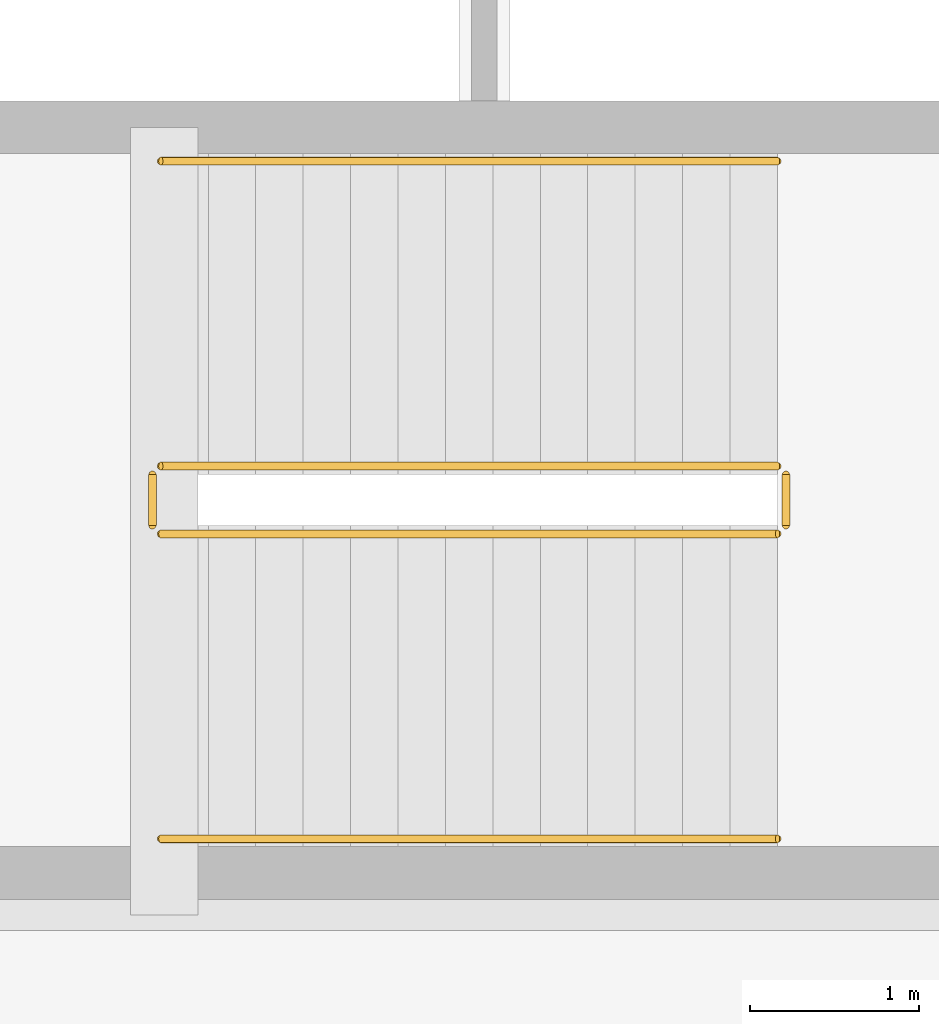
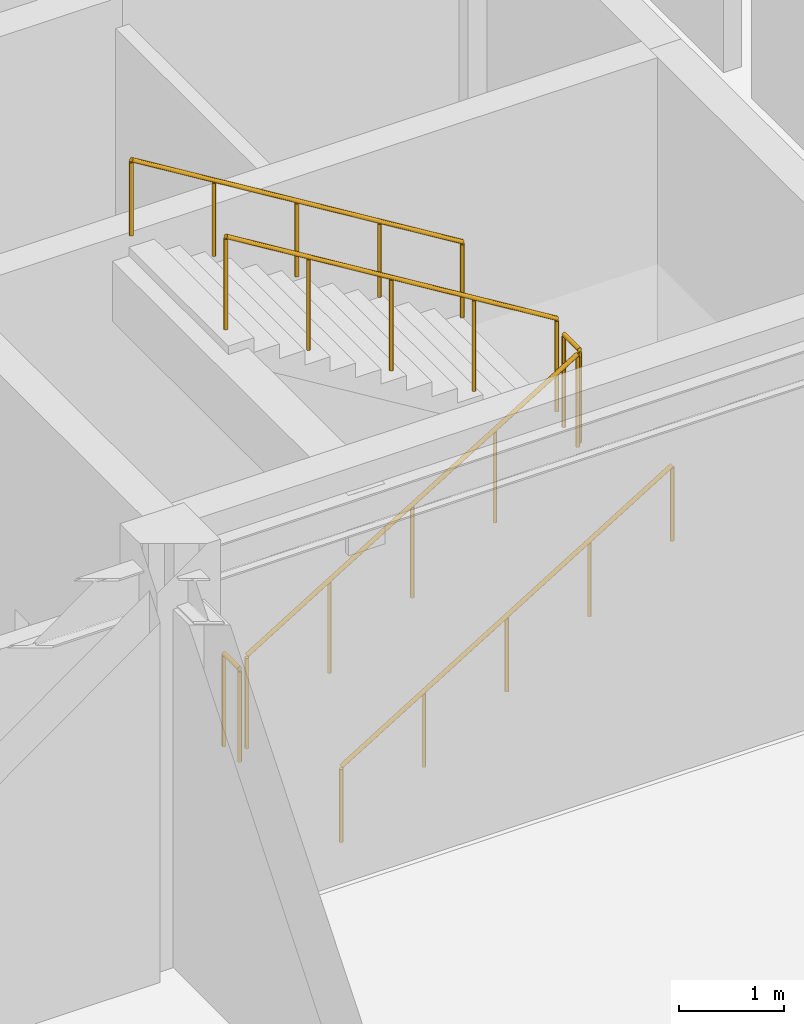
# One storey, part 49 of 56: 6 railings.
"""IFC4 building model written with IfcOpenShell, lengths in metres."""

from ifc_helpers import new_model, si_unit, direction, frame, origin, origin_2d, place, context, subcontext, project, spatial, circle, extrude, material, type_object, element, save


model = new_model("IFC4")

# Units and contexts
model_context = context("Model", 3, precision=1e-05, world=origin(), true_north=direction((0.0, 1.0)))
body_context = subcontext(model_context, "Body", "Model", "MODEL_VIEW")
ifc_project = project(units=[si_unit("LENGTHUNIT", "METRE"), si_unit("AREAUNIT", "SQUARE_METRE"), si_unit("VOLUMEUNIT", "CUBIC_METRE"), si_unit("PLANEANGLEUNIT", "RADIAN"), si_unit("MASSUNIT", "GRAM", prefix="KILO")], contexts=[model_context])

# Site, building, storey
site_placement = place(None, origin())
site = spatial("IfcSite", under=ifc_project, at=site_placement, CompositionType="ELEMENT")
building_placement = place(site_placement, origin())
building = spatial("IfcBuilding", under=site, at=building_placement, Name="Parian Resonance Hall", CompositionType="ELEMENT")
storey_placement = place(building_placement, frame((0.0, 0.0, 5.39990234375)))
storey = spatial("IfcBuildingStorey", under=building, at=storey_placement, Name="L01", CompositionType="ELEMENT", Elevation=5.39990234375)

# Railings
ifc_material_1 = material(Name="Patinated bronze whiplash metalwork")
railing_type_1 = type_object("IfcRailingType", Name="RAIL-STAIR-GRD-1100", PredefinedType="GUARDRAIL", material=ifc_material_1)
railing_1_placement = place(storey_placement, frame((123.639892578125, 50.85009765625, 0.171630859375)))
element("IfcRailing", 1, at=railing_1_placement, inside=storey, type_object=railing_type_1, Name="L01 ST-02 stair guard 1", PredefinedType="GUARDRAIL", context=body_context, shape_type="SweptSolid", body=[
    extrude(circle(Radius=0.02392578125, at=origin_2d()), frame((0.0, 0.0, 1.076171875), z_axis=(0.852865859571, 0.0, 0.52213008492), x_axis=(0.0, 1.0, 0.0)), (0.0, 0.0, 1.0), 4.26806640625),
    extrude(circle(Radius=0.02099609375, at=origin_2d()), origin(), (0.0, 0.0, 1.0), 1.052001953125),
    extrude(circle(Radius=0.02099609375, at=origin_2d()), frame((0.91015625, 0.0, 0.55712890625)), (0.0, 0.0, 1.0), 1.052001953125),
    extrude(circle(Radius=0.02099609375, at=origin_2d()), frame((1.820068359375, 0.0, 1.1142578125)), (0.0, 0.0, 1.0), 1.052001953125),
    extrude(circle(Radius=0.02099609375, at=origin_2d()), frame((2.72998046875, 0.0, 1.67138671875)), (0.0, 0.0, 1.0), 1.052001953125),
    extrude(circle(Radius=0.02099609375, at=origin_2d()), frame((3.64013671875, 0.0, 2.228515625)), (0.0, 0.0, 1.0), 1.052001953125),
])
railing_2_placement = place(storey_placement, frame((127.330078125, 50.89990234375, 2.400146484375)))
element("IfcRailing", 2, at=railing_2_placement, inside=storey, type_object=railing_type_1, Name="L01 ST-02 stair guard 2", PredefinedType="GUARDRAIL", context=body_context, shape_type="SweptSolid", body=[
    extrude(circle(Radius=0.02392578125, at=origin_2d()), frame((0.0, 0.0, 1.076171875), z_axis=(0.0, 1.0, 0.0), x_axis=(-1.0, 0.0, 0.0)), (0.0, 0.0, 1.0), 0.300048828125),
    extrude(circle(Radius=0.02099609375, at=origin_2d()), origin(), (0.0, 0.0, 1.0), 1.052001953125),
    extrude(circle(Radius=0.02099609375, at=origin_2d()), frame((0.0, 0.300048828125, 0.0)), (0.0, 0.0, 1.0), 1.052001953125),
])
railing_3_placement = place(storey_placement, frame((127.280029296875, 51.25, 2.571533203125)))
element("IfcRailing", 3, at=railing_3_placement, inside=storey, type_object=railing_type_1, Name="L01 ST-02 stair guard 3", PredefinedType="GUARDRAIL", context=body_context, shape_type="SweptSolid", body=[
    extrude(circle(Radius=0.02392578125, at=origin_2d()), frame((0.0, 0.0, 1.076171875), z_axis=(-0.852865859571, 0.0, 0.52213008492), x_axis=(0.0, -1.0, 0.0)), (0.0, 0.0, 1.0), 4.26806640625),
    extrude(circle(Radius=0.02099609375, at=origin_2d()), origin(), (0.0, 0.0, 1.0), 1.052001953125),
    extrude(circle(Radius=0.02099609375, at=origin_2d()), frame((-0.91015625, 0.0, 0.55712890625)), (0.0, 0.0, 1.0), 1.052001953125),
    extrude(circle(Radius=0.02099609375, at=origin_2d()), frame((-1.820068359375, 0.0, 1.1142578125)), (0.0, 0.0, 1.0), 1.052001953125),
    extrude(circle(Radius=0.02099609375, at=origin_2d()), frame((-2.72998046875, 0.0, 1.67138671875)), (0.0, 0.0, 1.0), 1.052001953125),
    extrude(circle(Radius=0.02099609375, at=origin_2d()), frame((-3.64013671875, 0.0, 2.228515625)), (0.0, 0.0, 1.0), 1.052001953125),
])
railing_4_placement = place(storey_placement, frame((123.590087890625, 50.89990234375, 0.0)))
element("IfcRailing", 4, at=railing_4_placement, inside=storey, type_object=railing_type_1, Name="L01 ST-02 stair guard 4", PredefinedType="GUARDRAIL", context=body_context, shape_type="SweptSolid", body=[
    extrude(circle(Radius=0.02392578125, at=origin_2d()), frame((0.0, 0.0, 1.076171875), z_axis=(0.0, 1.0, 0.0), x_axis=(-1.0, 0.0, 0.0)), (0.0, 0.0, 1.0), 0.300048828125),
    extrude(circle(Radius=0.02099609375, at=origin_2d()), origin(), (0.0, 0.0, 1.0), 1.052001953125),
    extrude(circle(Radius=0.02099609375, at=origin_2d()), frame((0.0, 0.300048828125, 0.0)), (0.0, 0.0, 1.0), 1.052001953125),
])
ifc_material_2 = material(Name="Patinated bronze whiplash metalwork")
railing_type_2 = type_object("IfcRailingType", Name="RAIL-STAIR-HR-900", PredefinedType="HANDRAIL", material=ifc_material_2)
railing_5_placement = place(storey_placement, frame((123.639892578125, 49.050048828125, 0.171630859375)))
element("IfcRailing", 5, at=railing_5_placement, inside=storey, type_object=railing_type_2, Name="L01 ST-02 stair handrail 1", PredefinedType="HANDRAIL", context=body_context, shape_type="SweptSolid", body=[
    extrude(circle(Radius=0.02392578125, at=origin_2d()), frame((0.0, 0.0, 0.8759765625), z_axis=(0.852865859571, 0.0, 0.52213008492), x_axis=(0.0, 1.0, 0.0)), (0.0, 0.0, 1.0), 4.26806640625),
    extrude(circle(Radius=0.02099609375, at=origin_2d()), origin(), (0.0, 0.0, 1.0), 0.851806640625),
    extrude(circle(Radius=0.02099609375, at=origin_2d()), frame((0.91015625, 0.0, 0.55712890625)), (0.0, 0.0, 1.0), 0.851806640625),
    extrude(circle(Radius=0.02099609375, at=origin_2d()), frame((1.820068359375, 0.0, 1.1142578125)), (0.0, 0.0, 1.0), 0.851806640625),
    extrude(circle(Radius=0.02099609375, at=origin_2d()), frame((2.72998046875, 0.0, 1.67138671875)), (0.0, 0.0, 1.0), 0.851806640625),
    extrude(circle(Radius=0.02099609375, at=origin_2d()), frame((3.64013671875, 0.0, 2.228515625)), (0.0, 0.0, 1.0), 0.851806640625),
])
railing_6_placement = place(storey_placement, frame((127.280029296875, 53.050048828125, 2.571533203125)))
element("IfcRailing", 6, at=railing_6_placement, inside=storey, type_object=railing_type_2, Name="L01 ST-02 stair handrail 2", PredefinedType="HANDRAIL", context=body_context, shape_type="SweptSolid", body=[
    extrude(circle(Radius=0.02392578125, at=origin_2d()), frame((0.0, 0.0, 0.8759765625), z_axis=(-0.852865859571, 0.0, 0.52213008492), x_axis=(0.0, -1.0, 0.0)), (0.0, 0.0, 1.0), 4.26806640625),
    extrude(circle(Radius=0.02099609375, at=origin_2d()), origin(), (0.0, 0.0, 1.0), 0.851806640625),
    extrude(circle(Radius=0.02099609375, at=origin_2d()), frame((-0.91015625, 0.0, 0.55712890625)), (0.0, 0.0, 1.0), 0.851806640625),
    extrude(circle(Radius=0.02099609375, at=origin_2d()), frame((-1.820068359375, 0.0, 1.1142578125)), (0.0, 0.0, 1.0), 0.851806640625),
    extrude(circle(Radius=0.02099609375, at=origin_2d()), frame((-2.72998046875, 0.0, 1.67138671875)), (0.0, 0.0, 1.0), 0.851806640625),
    extrude(circle(Radius=0.02099609375, at=origin_2d()), frame((-3.64013671875, 0.0, 2.228515625)), (0.0, 0.0, 1.0), 0.851806640625),
])

save(model, "model.ifc")
